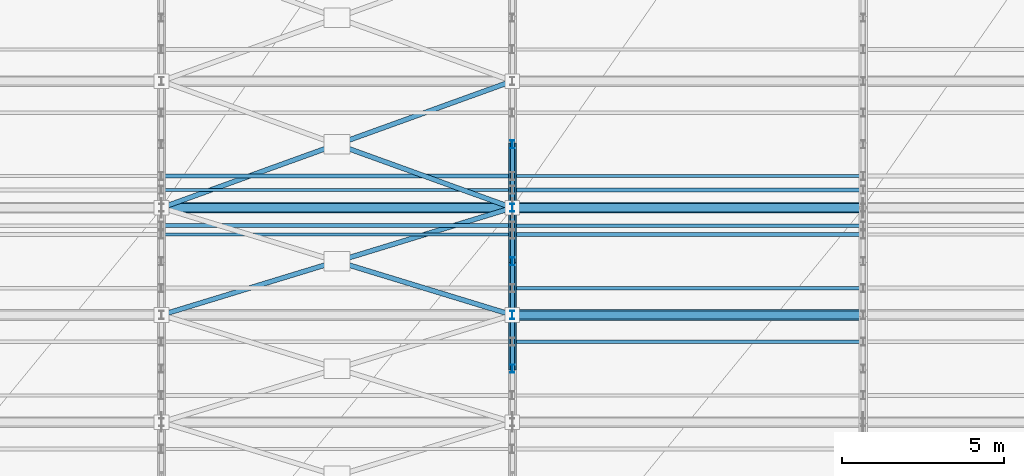
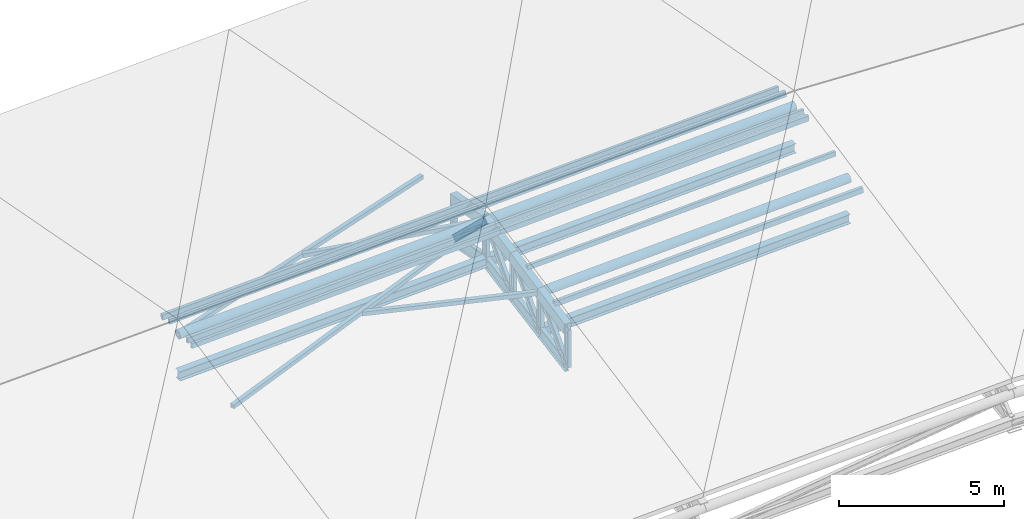
# One storey, part 32 of 89: 29 members, 8 beams.
"""IFC4 building model written with IfcOpenShell, lengths in metres."""

from ifc_helpers import new_model, si_unit, direction, frame, origin, origin_2d, place, context, subcontext, project, spatial, hollow_rectangle, hollow_circle, i_section, extrude, material, material_profile, profile_set, type_object, element, save


model = new_model("IFC4")

# Units and contexts
model_context = context("Model", 3, precision=1e-05, world=origin(), true_north=direction((0.0, 1.0)))
body_context = subcontext(model_context, "Body", "Model", "MODEL_VIEW")
ifc_project = project(units=[si_unit("LENGTHUNIT", "METRE"), si_unit("AREAUNIT", "SQUARE_METRE"), si_unit("VOLUMEUNIT", "CUBIC_METRE"), si_unit("PLANEANGLEUNIT", "RADIAN"), si_unit("MASSUNIT", "GRAM", prefix="KILO")], contexts=[model_context])

# Site, building, storey
site_placement = place(None, origin())
site = spatial("IfcSite", under=ifc_project, at=site_placement, CompositionType="ELEMENT")
building_placement = place(site_placement, origin())
building = spatial("IfcBuilding", under=site, at=building_placement, Name="Suirenkawa Promenade Aquatics Centre", CompositionType="ELEMENT")
storey_placement = place(building_placement, frame((0.0, 0.0, 9.60009765625)))
storey = spatial("IfcBuildingStorey", under=building, at=storey_placement, Name="L02", CompositionType="ELEMENT", Elevation=9.60009765625)

# Beams
ifc_material = material(Name="Steel IS 2062 E350 (Grade 350)", Category="steel")
ifc_material_profile_1 = material_profile(ifc_material, i_section(OverallWidth=0.14990234375, OverallDepth=0.449951171875, WebThickness=0.009033203125, FlangeThickness=0.01708984375, at=origin_2d()), Name="ISMB 450", Category="steel")
ifc_profile_set_1 = profile_set([ifc_material_profile_1], Name="Steel IS 2062 E350 (Grade 350)")
beam_type_1 = type_object("IfcBeamType", Name="BT-STL-ISMB450", PredefinedType="BEAM", material=ifc_profile_set_1)
beam_1_placement = place(storey_placement, frame((133.199951171875, 8.25, -0.406005859375), z_axis=(0.0, 0.985219243782, 0.171298107642), x_axis=(-1.0, 0.0, 0.0)))
element("IfcBeam", 1, at=beam_1_placement, inside=storey, type_object=beam_type_1, Name="ROOF TRUSS V3 bottom chord BM-08 BM-2746", PredefinedType="BEAM", context=body_context, shape_type="SweptSolid", body=[
    extrude(i_section(OverallWidth=0.14990234375, OverallDepth=0.449951171875, WebThickness=0.009033203125, FlangeThickness=0.01708984375, at=origin_2d()), origin(), (0.0, 0.0, 1.0), 1.674560546875),
])
beam_2_placement = place(storey_placement, frame((133.199951171875, 9.89990234375, -0.119140625), z_axis=(0.0, 0.983867580991, 0.178898247823), x_axis=(-1.0, 0.0, 0.0)))
element("IfcBeam", 2, at=beam_2_placement, inside=storey, type_object=beam_type_1, Name="ROOF TRUSS V3 bottom chord BM-08 BM-2748", PredefinedType="BEAM", context=body_context, shape_type="SweptSolid", body=[
    extrude(i_section(OverallWidth=0.14990234375, OverallDepth=0.449951171875, WebThickness=0.009033203125, FlangeThickness=0.01708984375, at=origin_2d()), origin(), (0.0, 0.0, 1.0), 1.67724609375),
])
beam_3_placement = place(storey_placement, frame((133.199951171875, 11.550048828125, 0.180908203125), z_axis=(0.0, 0.982478263587, 0.186377202415), x_axis=(-1.0, 0.0, 0.0)))
element("IfcBeam", 3, at=beam_3_placement, inside=storey, type_object=beam_type_1, Name="ROOF TRUSS V3 bottom chord BM-08 BM-2750", PredefinedType="BEAM", context=body_context, shape_type="SweptSolid", body=[
    extrude(i_section(OverallWidth=0.14990234375, OverallDepth=0.449951171875, WebThickness=0.009033203125, FlangeThickness=0.01708984375, at=origin_2d()), origin(), (0.0, 0.0, 1.0), 1.679443359375),
])
beam_4_placement = place(storey_placement, frame((133.199951171875, 13.199951171875, 0.493896484375), z_axis=(0.0, 0.982368697104, -0.18695385246), x_axis=(-1.0, 0.0, 0.0)))
element("IfcBeam", 4, at=beam_4_placement, inside=storey, type_object=beam_type_1, Name="ROOF TRUSS V3 bottom chord BM-08 BM-2752", PredefinedType="BEAM", context=body_context, shape_type="SweptSolid", body=[
    extrude(i_section(OverallWidth=0.14990234375, OverallDepth=0.449951171875, WebThickness=0.009033203125, FlangeThickness=0.01708984375, at=origin_2d()), origin(), (0.0, 0.0, 1.0), 1.98486328125),
])
ifc_material_profile_2 = material_profile(ifc_material, hollow_rectangle(XDim=0.25, YDim=0.39990234375, WallThickness=0.01611328125, at=origin_2d()), Name="RHS 400x250x16", Category="steel")
ifc_profile_set_2 = profile_set([ifc_material_profile_2], Name="Steel IS 2062 E350 (Grade 350)")
beam_type_2 = type_object("IfcBeamType", Name="BT-TC-RHS400", PredefinedType="BEAM", material=ifc_profile_set_2)
beam_5_placement = place(storey_placement, frame((133.199951171875, 8.25, 0.995849609375), z_axis=(0.0, 0.980345640785, 0.197287669646), x_axis=(-1.0, 0.0, 0.0)))
element("IfcBeam", 5, at=beam_5_placement, inside=storey, type_object=beam_type_2, Name="ROOF TRUSS V3 top chord TC-03 BM-2745", PredefinedType="BEAM", context=body_context, shape_type="SweptSolid", body=[
    extrude(hollow_rectangle(XDim=0.25, YDim=0.39990234375, WallThickness=0.01611328125, at=origin_2d()), origin(), (0.0, 0.0, 1.0), 1.682861328125),
])
beam_6_placement = place(storey_placement, frame((133.199951171875, 9.89990234375, 1.327880859375), z_axis=(0.0, 0.980463336519, 0.196701921042), x_axis=(-1.0, 0.0, 0.0)))
element("IfcBeam", 6, at=beam_6_placement, inside=storey, type_object=beam_type_2, Name="ROOF TRUSS V3 top chord TC-03 BM-2747", PredefinedType="BEAM", context=body_context, shape_type="SweptSolid", body=[
    extrude(hollow_rectangle(XDim=0.25, YDim=0.39990234375, WallThickness=0.01611328125, at=origin_2d()), origin(), (0.0, 0.0, 1.0), 1.68310546875),
])
beam_7_placement = place(storey_placement, frame((133.199951171875, 11.550048828125, 1.658935546875), z_axis=(0.0, 0.980457722696, 0.196729901151), x_axis=(-1.0, 0.0, 0.0)))
element("IfcBeam", 7, at=beam_7_placement, inside=storey, type_object=beam_type_2, Name="ROOF TRUSS V3 top chord TC-03 BM-2749", PredefinedType="BEAM", context=body_context, shape_type="SweptSolid", body=[
    extrude(hollow_rectangle(XDim=0.25, YDim=0.39990234375, WallThickness=0.01611328125, at=origin_2d()), origin(), (0.0, 0.0, 1.0), 1.682861328125),
])
beam_8_placement = place(storey_placement, frame((133.199951171875, 13.199951171875, 1.989990234375), z_axis=(0.0, 0.98254898431, -0.186004014558), x_axis=(-1.0, 0.0, 0.0)))
element("IfcBeam", 8, at=beam_8_placement, inside=storey, type_object=beam_type_2, Name="ROOF TRUSS V3 top chord TC-03 BM-2751", PredefinedType="BEAM", context=body_context, shape_type="SweptSolid", body=[
    extrude(hollow_rectangle(XDim=0.25, YDim=0.39990234375, WallThickness=0.01611328125, at=origin_2d()), origin(), (0.0, 0.0, 1.0), 1.984619140625),
])

# Members
ifc_material_profile_3 = material_profile(ifc_material, hollow_rectangle(XDim=0.14990234375, YDim=0.14990234375, WallThickness=0.008056640625, at=origin_2d()), Name="SHS 150x150x8", Category="steel")
ifc_profile_set_3 = profile_set([ifc_material_profile_3], Name="Steel IS 2062 E350 (Grade 350)")
member_type_1 = type_object("IfcMemberType", Name="MT-BRACE-SHS150", PredefinedType="BRACE", material=ifc_profile_set_3)
member_1_placement = place(storey_placement, frame((122.39990234375, 9.89990234375, 0.8779296875), z_axis=(0.951747292468, 0.290814660856, 0.097999613834), x_axis=(-0.292221281811, 0.956350731927, 0.0)))
element("IfcMember", 9, at=member_1_placement, inside=storey, type_object=member_type_1, Name="ROOF TRUSS V3 continuous plan brace BF-02 MB-1657", PredefinedType="BRACE", context=body_context, shape_type="SweptSolid", body=[
    extrude(hollow_rectangle(XDim=0.14990234375, YDim=0.14990234375, WallThickness=0.008056640625, at=origin_2d()), origin(), (0.0, 0.0, 1.0), 11.34765625),
])
member_2_placement = place(storey_placement, frame((133.199951171875, 9.89990234375, 1.327880859375), z_axis=(-0.956194612693, 0.29213400083, 0.018697278298), x_axis=(-0.292185077524, -0.956361793712, 0.0)))
element("IfcMember", 10, at=member_2_placement, inside=storey, type_object=member_type_1, Name="ROOF TRUSS V3 split plan brace A BF-02 MB-1658", PredefinedType="BRACE", context=body_context, shape_type="SweptSolid", body=[
    extrude(hollow_rectangle(XDim=0.14990234375, YDim=0.14990234375, WallThickness=0.008056640625, at=origin_2d()), origin(), (0.0, 0.0, 1.0), 5.5625),
])
member_3_placement = place(storey_placement, frame((122.39990234375, 13.199951171875, 1.539794921875), z_axis=(0.940256943854, 0.339548447636, -0.024974611954), x_axis=(-0.339654390686, 0.940550314916, 0.0)))
element("IfcMember", 11, at=member_3_placement, inside=storey, type_object=member_type_1, Name="ROOF TRUSS V3 continuous plan brace BF-02 MB-1660", PredefinedType="BRACE", context=body_context, shape_type="SweptSolid", body=[
    extrude(hollow_rectangle(XDim=0.14990234375, YDim=0.14990234375, WallThickness=0.008056640625, at=origin_2d()), origin(), (0.0, 0.0, 1.0), 11.486328125),
])
member_4_placement = place(storey_placement, frame((133.199951171875, 13.199951171875, 1.989990234375), z_axis=(-0.935559698366, 0.33784219478, -0.102911137487), x_axis=(-0.339645524425, -0.940553516679, 0.0)))
element("IfcMember", 12, at=member_4_placement, inside=storey, type_object=member_type_1, Name="ROOF TRUSS V3 split plan brace A BF-02 MB-1661", PredefinedType="BRACE", context=body_context, shape_type="SweptSolid", body=[
    extrude(hollow_rectangle(XDim=0.14990234375, YDim=0.14990234375, WallThickness=0.008056640625, at=origin_2d()), origin(), (0.0, 0.0, 1.0), 5.6865234375),
])
ifc_material_profile_4 = material_profile(ifc_material, hollow_circle(Radius=0.162109375, WallThickness=0.013916015625, at=origin_2d()), Name="CHS 324x14", Category="steel")
ifc_profile_set_4 = profile_set([ifc_material_profile_4], Name="Steel IS 2062 E350 (Grade 350)")
member_type_2 = type_object("IfcMemberType", Name="MT-CHORD-CHS324", PredefinedType="CHORD", material=ifc_profile_set_4)
for number, where, z_axis, x_axis, name in (
    (13, (133.199951171875, 9.89990234375, 1.327880859375), (0.9991332688, 0.0, 0.041625847467), (0.0, 1.0, 0.0), "ROOF TRUSS V3 tie chord CH-01 MB-1573"),
    (14, (122.39990234375, 13.199951171875, 1.539794921875), (0.999132329203, 0.0, 0.041648394219), (0.0, 1.0, 0.0), "ROOF TRUSS V3 tie chord CH-01 MB-1585"),
    (15, (133.199951171875, 13.199951171875, 1.989990234375), (0.9991332688, 0.0, 0.041625847467), (0.0, 1.0, 0.0), "ROOF TRUSS V3 tie chord CH-01 MB-1587"),
):
    element("IfcMember", number, at=place(storey_placement, frame(where, z_axis=z_axis, x_axis=x_axis)), inside=storey, type_object=member_type_2, Name=name, PredefinedType="CHORD", context=body_context, shape_type="SweptSolid", body=[
        extrude(hollow_circle(Radius=0.162109375, WallThickness=0.013916015625, at=origin_2d()), origin(), (0.0, 0.0, 1.0), 10.809326171875),
    ])
ifc_material_profile_5 = material_profile(ifc_material, i_section(OverallWidth=0.25, OverallDepth=0.35009765625, WebThickness=0.010009765625, FlangeThickness=0.011962890625, at=origin_2d()), Name="ISHB 350", Category="steel")
ifc_profile_set_5 = profile_set([ifc_material_profile_5], Name="Steel IS 2062 E350 (Grade 350)")
member_type_3 = type_object("IfcMemberType", Name="MT-CHORD-ISHB350", PredefinedType="CHORD", material=ifc_profile_set_5)
for number, where, z_axis, x_axis, name in (
    (16, (133.199951171875, 9.89990234375, -0.119140625), (0.9991332688, 0.0, 0.041625847467), (0.0, 1.0, 0.0), "ROOF TRUSS V3 bottom tie CH-04 MB-1574"),
    (17, (122.39990234375, 13.199951171875, 0.0439453125), (0.9991332688, 0.0, 0.041625847467), (0.0, 1.0, 0.0), "ROOF TRUSS V3 bottom tie CH-04 MB-1586"),
    (18, (133.199951171875, 13.199951171875, 0.493896484375), (0.9991332688, 0.0, 0.041625847467), (0.0, 1.0, 0.0), "ROOF TRUSS V3 bottom tie CH-04 MB-1588"),
):
    element("IfcMember", number, at=place(storey_placement, frame(where, z_axis=z_axis, x_axis=x_axis)), inside=storey, type_object=member_type_3, Name=name, PredefinedType="CHORD", context=body_context, shape_type="SweptSolid", body=[
        extrude(i_section(OverallWidth=0.25, OverallDepth=0.35009765625, WebThickness=0.010009765625, FlangeThickness=0.011962890625, at=origin_2d()), origin(), (0.0, 0.0, 1.0), 10.809326171875),
    ])
ifc_material_profile_6 = material_profile(ifc_material, hollow_rectangle(XDim=0.10009765625, YDim=0.179931640625, WallThickness=0.008056640625, at=origin_2d()), Name="RHS 180x100x8", Category="steel")
ifc_profile_set_6 = profile_set([ifc_material_profile_6], Name="Steel IS 2062 E350 (Grade 350)")
member_type_4 = type_object("IfcMemberType", Name="MT-PURLIN-RHS180", PredefinedType="PURLIN", material=ifc_profile_set_6)
for number, where, z_axis, x_axis, name in (
    (19, (122.39990234375, 12.375, 1.6259765625), (0.9991332688, 0.0, 0.041625847467), (0.0, 1.0, 0.0), "ROOF TRUSS Roof purlin PU-01 MB-2801"),
    (20, (122.39990234375, 13.75, 1.68896484375), (0.9991332688, 0.0, 0.041625847467), (0.0, 1.0, 0.0), "ROOF TRUSS Roof purlin PU-01 MB-2805"),
    (21, (133.199951171875, 10.72509765625, 1.744873046875), (0.9991332688, 0.0, 0.041625847467), (0.0, 1.0, 0.0), "ROOF TRUSS Roof purlin PU-01 MB-2839"),
    (22, (133.199951171875, 12.64990234375, 2.1318359375), (0.9991332688, 0.0, 0.041625847467), (0.0, 1.0, 0.0), "ROOF TRUSS Roof purlin PU-01 MB-2843"),
    (23, (133.199951171875, 14.175048828125, 2.058837890625), (0.9991332688, 0.0, 0.041625847467), (0.0, 1.0, 0.0), "ROOF TRUSS Roof purlin PU-01 MB-2847"),
):
    element("IfcMember", number, at=place(storey_placement, frame(where, z_axis=z_axis, x_axis=x_axis)), inside=storey, type_object=member_type_4, Name=name, PredefinedType="PURLIN", context=body_context, shape_type="SweptSolid", body=[
        extrude(hollow_rectangle(XDim=0.10009765625, YDim=0.179931640625, WallThickness=0.008056640625, at=origin_2d()), origin(), (0.0, 0.0, 1.0), 10.809326171875),
    ])
ifc_material_profile_7 = material_profile(ifc_material, hollow_rectangle(XDim=0.1201171875, YDim=0.199951171875, WallThickness=0.008056640625, at=origin_2d()), Name="RHS 200x120x8", Category="steel")
ifc_profile_set_7 = profile_set([ifc_material_profile_7], Name="Steel IS 2062 E350 (Grade 350)")
member_type_5 = type_object("IfcMemberType", Name="MT-PURLIN-RHS200", PredefinedType="PURLIN", material=ifc_profile_set_7)
for number, where, z_axis, x_axis, name in (
    (24, (122.39990234375, 12.64990234375, 1.669921875), (0.9991332688, 0.0, 0.041625847467), (0.0, 1.0, 0.0), "ROOF TRUSS Roof purlin PU-02 MB-2803"),
    (25, (122.39990234375, 14.175048828125, 1.596923828125), (0.9991332688, 0.0, 0.041625847467), (0.0, 1.0, 0.0), "ROOF TRUSS Roof purlin PU-02 MB-2807"),
    (26, (133.199951171875, 9.074951171875, 1.40185546875), (0.9991332688, 0.0, 0.041625847467), (0.0, 1.0, 0.0), "ROOF TRUSS Roof purlin PU-02 MB-2837"),
    (27, (133.199951171875, 12.375, 2.06396484375), (0.9991332688, 0.0, 0.041625847467), (0.0, 1.0, 0.0), "ROOF TRUSS Roof purlin PU-02 MB-2841"),
    (28, (133.199951171875, 13.75, 2.126953125), (0.9991332688, 0.0, 0.041625847467), (0.0, 1.0, 0.0), "ROOF TRUSS Roof purlin PU-02 MB-2845"),
):
    element("IfcMember", number, at=place(storey_placement, frame(where, z_axis=z_axis, x_axis=x_axis)), inside=storey, type_object=member_type_5, Name=name, PredefinedType="PURLIN", context=body_context, shape_type="SweptSolid", body=[
        extrude(hollow_rectangle(XDim=0.1201171875, YDim=0.199951171875, WallThickness=0.008056640625, at=origin_2d()), origin(), (0.0, 0.0, 1.0), 10.809326171875),
    ])
ifc_material_profile_8 = material_profile(ifc_material, i_section(OverallWidth=0.125, OverallDepth=0.25, WebThickness=0.007080078125, FlangeThickness=0.012939453125, at=origin_2d()), Name="ISMB 250", Category="steel")
ifc_profile_set_8 = profile_set([ifc_material_profile_8], Name="Steel IS 2062 E350 (Grade 350)")
member_type_6 = type_object("IfcMemberType", Name="MT-WEB-CHS168", PredefinedType="BRACE", material=ifc_profile_set_8)
member_5_placement = place(storey_placement, frame((133.199951171875, 8.25, -0.406005859375), z_axis=(0.0, 0.689344366045, 0.724433809952), x_axis=(-1.0, 0.0, 0.0)))
element("IfcMember", 29, at=member_5_placement, inside=storey, type_object=member_type_6, Name="ROOF TRUSS V3 web diagonal TD-03 MB-1436", PredefinedType="BRACE", context=body_context, shape_type="SweptSolid", body=[
    extrude(i_section(OverallWidth=0.125, OverallDepth=0.25, WebThickness=0.007080078125, FlangeThickness=0.012939453125, at=origin_2d()), origin(), (0.0, 0.0, 1.0), 2.3935546875),
])
member_6_placement = place(storey_placement, frame((133.199951171875, 9.89990234375, -0.119140625), z_axis=(0.0, 0.680246477902, 0.732983444084), x_axis=(-1.0, 0.0, 0.0)))
element("IfcMember", 30, at=member_6_placement, inside=storey, type_object=member_type_6, Name="ROOF TRUSS V3 web diagonal TD-03 MB-1437", PredefinedType="BRACE", context=body_context, shape_type="SweptSolid", body=[
    extrude(i_section(OverallWidth=0.125, OverallDepth=0.25, WebThickness=0.007080078125, FlangeThickness=0.012939453125, at=origin_2d()), origin(), (0.0, 0.0, 1.0), 2.42578125),
])
member_7_placement = place(storey_placement, frame((133.199951171875, 11.550048828125, 0.180908203125), z_axis=(0.0, 0.673853139616, 0.738865309938), x_axis=(-1.0, 0.0, 0.0)))
element("IfcMember", 31, at=member_7_placement, inside=storey, type_object=member_type_6, Name="ROOF TRUSS V3 web diagonal TD-03 MB-1438", PredefinedType="BRACE", context=body_context, shape_type="SweptSolid", body=[
    extrude(i_section(OverallWidth=0.125, OverallDepth=0.25, WebThickness=0.007080078125, FlangeThickness=0.012939453125, at=origin_2d()), origin(), (0.0, 0.0, 1.0), 2.448486328125),
])
member_8_placement = place(storey_placement, frame((133.199951171875, 13.199951171875, 1.989990234375), z_axis=(0.0, 0.722268603188, -0.691612655212), x_axis=(-1.0, 0.0, 0.0)))
element("IfcMember", 32, at=member_8_placement, inside=storey, type_object=member_type_6, Name="ROOF TRUSS V3 web diagonal TD-03 MB-1439", PredefinedType="BRACE", context=body_context, shape_type="SweptSolid", body=[
    extrude(i_section(OverallWidth=0.125, OverallDepth=0.25, WebThickness=0.007080078125, FlangeThickness=0.012939453125, at=origin_2d()), origin(), (0.0, 0.0, 1.0), 2.69970703125),
])
member_9_placement = place(storey_placement, frame((133.199951171875, 8.25, -0.406005859375), z_axis=(0.0, 0.0, 1.0), x_axis=(1.0, 0.0, 0.0)))
element("IfcMember", 33, at=member_9_placement, inside=storey, type_object=member_type_6, Name="ROOF TRUSS V3 web post TD-03 MB-1451", PredefinedType="BRACE", context=body_context, shape_type="SweptSolid", body=[
    extrude(i_section(OverallWidth=0.125, OverallDepth=0.25, WebThickness=0.007080078125, FlangeThickness=0.012939453125, at=origin_2d()), origin(), (0.0, 0.0, 1.0), 1.40185546875),
])
member_10_placement = place(storey_placement, frame((133.199951171875, 9.89990234375, -0.119140625), z_axis=(0.0, 0.0, 1.0), x_axis=(1.0, 0.0, 0.0)))
element("IfcMember", 34, at=member_10_placement, inside=storey, type_object=member_type_6, Name="ROOF TRUSS V3 web post TD-03 MB-1452", PredefinedType="BRACE", context=body_context, shape_type="SweptSolid", body=[
    extrude(i_section(OverallWidth=0.125, OverallDepth=0.25, WebThickness=0.007080078125, FlangeThickness=0.012939453125, at=origin_2d()), origin(), (0.0, 0.0, 1.0), 1.447021484375),
])
member_11_placement = place(storey_placement, frame((133.199951171875, 11.550048828125, 0.180908203125), z_axis=(0.0, 0.0, 1.0), x_axis=(1.0, 0.0, 0.0)))
element("IfcMember", 35, at=member_11_placement, inside=storey, type_object=member_type_6, Name="ROOF TRUSS V3 web post TD-03 MB-1453", PredefinedType="BRACE", context=body_context, shape_type="SweptSolid", body=[
    extrude(i_section(OverallWidth=0.125, OverallDepth=0.25, WebThickness=0.007080078125, FlangeThickness=0.012939453125, at=origin_2d()), origin(), (0.0, 0.0, 1.0), 1.47802734375),
])
member_12_placement = place(storey_placement, frame((133.199951171875, 13.199951171875, 0.493896484375), z_axis=(0.0, 0.0, 1.0), x_axis=(1.0, 0.0, 0.0)))
element("IfcMember", 36, at=member_12_placement, inside=storey, type_object=member_type_6, Name="ROOF TRUSS V3 web post TD-03 MB-1454", PredefinedType="BRACE", context=body_context, shape_type="SweptSolid", body=[
    extrude(i_section(OverallWidth=0.125, OverallDepth=0.25, WebThickness=0.007080078125, FlangeThickness=0.012939453125, at=origin_2d()), origin(), (0.0, 0.0, 1.0), 1.49609375),
])
member_13_placement = place(storey_placement, frame((133.199951171875, 15.14990234375, 0.122802734375), z_axis=(0.0, 0.0, 1.0), x_axis=(1.0, 0.0, 0.0)))
element("IfcMember", 37, at=member_13_placement, inside=storey, type_object=member_type_6, Name="ROOF TRUSS V3 web post TD-03 MB-1455", PredefinedType="BRACE", context=body_context, shape_type="SweptSolid", body=[
    extrude(i_section(OverallWidth=0.125, OverallDepth=0.25, WebThickness=0.007080078125, FlangeThickness=0.012939453125, at=origin_2d()), origin(), (0.0, 0.0, 1.0), 1.498046875),
])

save(model, "model.ifc")
